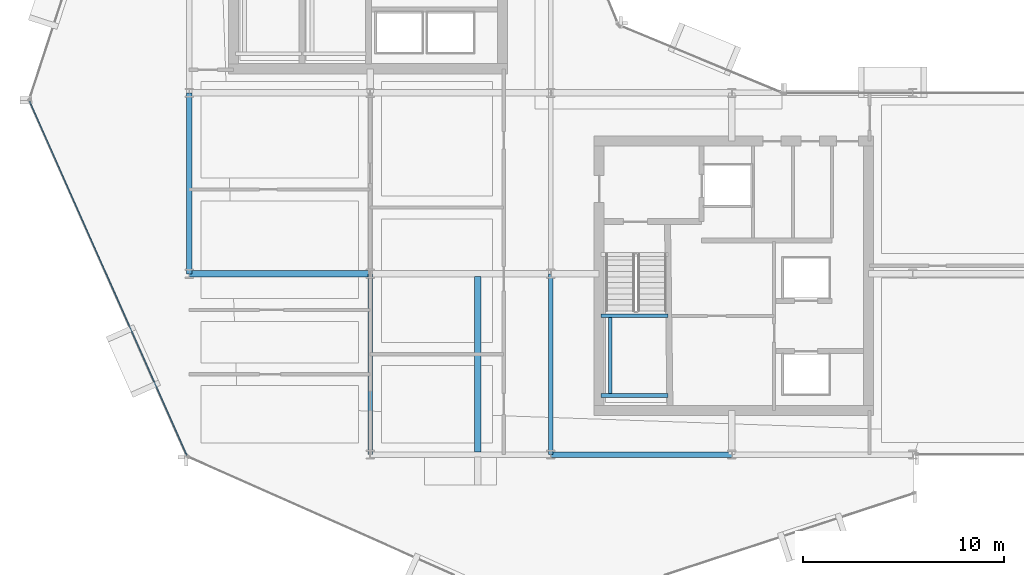
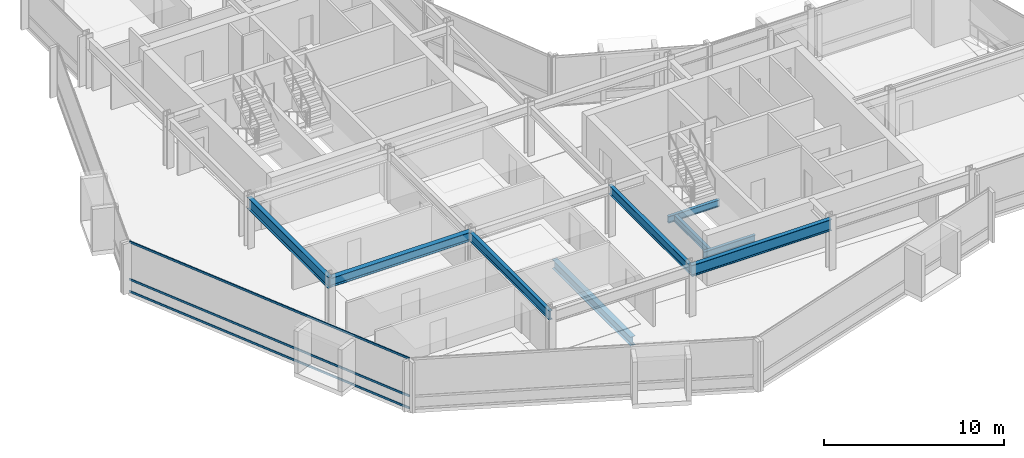
# One storey, part 5 of 29: 9 beams, 3 members, 1 element without a shape of its own.
"""IFC4 building model written with IfcOpenShell, lengths in metres."""

from ifc_helpers import new_model, si_unit, direction, frame, origin, origin_2d, place, context, subcontext, project, spatial, hollow_rectangle, i_section, extrude, material, layer, layer_set, material_profile, profile_set, type_object, element, aggregate, save


model = new_model("IFC4")

# Units and contexts
model_context = context("Model", 3, precision=1e-05, world=origin(), true_north=direction((0.0, 1.0)))
body_context = subcontext(model_context, "Body", "Model", "MODEL_VIEW")
ifc_project = project(units=[si_unit("LENGTHUNIT", "METRE"), si_unit("AREAUNIT", "SQUARE_METRE"), si_unit("VOLUMEUNIT", "CUBIC_METRE"), si_unit("PLANEANGLEUNIT", "RADIAN"), si_unit("MASSUNIT", "GRAM", prefix="KILO")], contexts=[model_context])

# Site, building, storey
site_placement = place(None, origin())
site = spatial("IfcSite", under=ifc_project, at=site_placement, CompositionType="ELEMENT")
building_placement = place(site_placement, origin())
building = spatial("IfcBuilding", under=site, at=building_placement, Name="Solvaryn Broadcast Tower", CompositionType="ELEMENT")
storey_placement = place(building_placement, frame((0.0, 0.0, 128.5)))
storey = spatial("IfcBuildingStorey", under=building, at=storey_placement, Name="L31", CompositionType="ELEMENT", Elevation=128.5)

# Beams
ifc_material_1 = material(Name="Steel ASTM A992 Grade 50", Category="steel")
ifc_material_profile_1 = material_profile(ifc_material_1, i_section(OverallWidth=0.323974609375, OverallDepth=0.611083984375, WebThickness=0.0126953125, FlangeThickness=0.01904296875, FilletRadius=0.014892578125, at=origin_2d()))
ifc_profile_set_1 = profile_set([ifc_material_profile_1], Name="Steel ASTM A992 Grade 50")
beam_type_1 = type_object("IfcBeamType", Name="BM-B1-W24X104", PredefinedType="BEAM", material=ifc_profile_set_1)
beam_1_placement = place(storey_placement, frame((23.35009765625, 17.875, -0.58544921875), z_axis=(0.0, -1.0, 0.0), x_axis=(1.0, 0.0, 0.0)))
element("IfcBeam", 1, at=beam_1_placement, inside=storey, type_object=beam_type_1, Name="L31 Bay-Box Back-Span Beam 1", PredefinedType="BEAM", context=body_context, shape_type="SweptSolid", body=[
    extrude(i_section(OverallWidth=0.323974609375, OverallDepth=0.611083984375, WebThickness=0.0126953125, FlangeThickness=0.01904296875, FilletRadius=0.014892578125, at=origin_2d()), origin(), (0.0, 0.0, 1.0), 8.75),
])
beam_2_placement = place(storey_placement, frame((9.0, 18.0, 3.114501953125), z_axis=(1.0, 0.0, 0.0), x_axis=(0.0, 1.0, 0.0)))
element("IfcBeam", 2, at=beam_2_placement, inside=storey, type_object=beam_type_1, Name="L31 Primary Beam X (9-18 @ Y=18)", PredefinedType="BEAM", context=body_context, shape_type="SweptSolid", body=[
    extrude(i_section(OverallWidth=0.323974609375, OverallDepth=0.611083984375, WebThickness=0.0126953125, FlangeThickness=0.01904296875, FilletRadius=0.014892578125, at=origin_2d()), origin(), (0.0, 0.0, 1.0), 9.0),
])
ifc_material_2 = material(Name="Steel ASTM A992 Grade 50", Category="steel")
ifc_material_profile_2 = material_profile(ifc_material_2, i_section(OverallWidth=0.22802734375, OverallDepth=0.60791015625, WebThickness=0.01123046875, FlangeThickness=0.017333984375, FilletRadius=0.014892578125, at=origin_2d()))
ifc_profile_set_2 = profile_set([ifc_material_profile_2], Name="Steel ASTM A992 Grade 50")
beam_type_2 = type_object("IfcBeamType", Name="BM-B2-W24X76", PredefinedType="BEAM", material=ifc_profile_set_2)
for number, where, z_axis, x_axis, name in (
    (3, (18.0, 9.0, 3.115966796875), (0.0, 1.0, 0.0), (-1.0, 0.0, 0.0), "L31 Primary Beam Y (9-18 @ X=18)"),
    (4, (27.0, 9.0, 3.115966796875), (0.0, 1.0, 0.0), (-1.0, 0.0, 0.0), "L31 Primary Beam Y (9-18 @ X=27)"),
):
    element("IfcBeam", number, at=place(storey_placement, frame(where, z_axis=z_axis, x_axis=x_axis)), inside=storey, type_object=beam_type_2, Name=name, PredefinedType="BEAM", context=body_context, shape_type="SweptSolid", body=[
        extrude(i_section(OverallWidth=0.22802734375, OverallDepth=0.60791015625, WebThickness=0.01123046875, FlangeThickness=0.017333984375, FilletRadius=0.014892578125, at=origin_2d()), origin(), (0.0, 0.0, 1.0), 9.0),
    ])
ifc_material_3 = material(Name="Steel ASTM A992 Grade 50", Category="steel")
ifc_material_profile_3 = material_profile(ifc_material_3, i_section(OverallWidth=0.18994140625, OverallDepth=0.45703125, WebThickness=0.009033203125, FlangeThickness=0.014404296875, FilletRadius=0.011962890625, at=origin_2d()))
ifc_profile_set_3 = profile_set([ifc_material_profile_3], Name="Steel ASTM A992 Grade 50")
beam_type_3 = type_object("IfcBeamType", Name="BM-B4-W18X50", PredefinedType="BEAM", material=ifc_profile_set_3)
for number, where, z_axis, x_axis, name in (
    (5, (29.5, 11.949951171875, 1.42138671875), (1.0, 0.0, 0.0), (0.0, 1.0, 0.0), "L31 ST3 Landing Support Beam 1A"),
    (6, (29.5, 15.909912109375, 1.42138671875), (1.0, 0.0, 0.0), (0.0, 1.0, 0.0), "L31 ST3 Landing Support Beam 1B"),
):
    element("IfcBeam", number, at=place(storey_placement, frame(where, z_axis=z_axis, x_axis=x_axis)), inside=storey, type_object=beam_type_3, Name=name, PredefinedType="BEAM", context=body_context, shape_type="SweptSolid", body=[
        extrude(i_section(OverallWidth=0.18994140625, OverallDepth=0.45703125, WebThickness=0.009033203125, FlangeThickness=0.014404296875, FilletRadius=0.011962890625, at=origin_2d()), origin(), (0.0, 0.0, 1.0), 3.320068359375),
    ])
beam_3_placement = place(storey_placement, frame((29.949951171875, 11.949951171875, 1.42138671875), z_axis=(0.0, 1.0, 0.0), x_axis=(-1.0, 0.0, 0.0)))
element("IfcBeam", 7, at=beam_3_placement, inside=storey, type_object=beam_type_3, Name="L31 ST3 Landing Cross Stringer 1C", PredefinedType="BEAM", context=body_context, shape_type="SweptSolid", body=[
    extrude(i_section(OverallWidth=0.18994140625, OverallDepth=0.45703125, WebThickness=0.009033203125, FlangeThickness=0.014404296875, FilletRadius=0.011962890625, at=origin_2d()), origin(), (0.0, 0.0, 1.0), 3.9599609375),
])
ifc_material_4 = material(Name="Steel ASTM A992 Grade 50", Category="steel")
ifc_material_profile_4 = material_profile(ifc_material_4, i_section(OverallWidth=0.26708984375, OverallDepth=0.76611328125, WebThickness=0.014892578125, FlangeThickness=0.023681640625, FilletRadius=0.01806640625, at=origin_2d()))
ifc_profile_set_4 = profile_set([ifc_material_profile_4], Name="Steel ASTM A992 Grade 50")
beam_type_4 = type_object("IfcBeamType", Name="BM-SP2-W30X124", PredefinedType="USERDEFINED", material=ifc_profile_set_4)
for number, where, z_axis, x_axis, name in (
    (8, (27.0, 9.0, 3.037109375), (1.0, 0.0, 0.0), (0.0, 1.0, 0.0), "L31 Spandrel Beam X (27-36 @ Y=9)"),
    (9, (9.0, 18.0, 3.037109375), (0.0, 1.0, 0.0), (-1.0, 0.0, 0.0), "L31 Spandrel Beam Y (18-27 @ X=9)"),
):
    element("IfcBeam", number, at=place(storey_placement, frame(where, z_axis=z_axis, x_axis=x_axis)), inside=storey, type_object=beam_type_4, Name=name, ObjectType="SPANDREL", PredefinedType="USERDEFINED", context=body_context, shape_type="SweptSolid", body=[
        extrude(i_section(OverallWidth=0.26708984375, OverallDepth=0.76611328125, WebThickness=0.014892578125, FlangeThickness=0.023681640625, FilletRadius=0.01806640625, at=origin_2d()), origin(), (0.0, 0.0, 1.0), 9.0),
    ])

# Curtain wall, members
ifc_material_5 = material(Name="Aluminium and Terracotta Unitised Curtain Wall", Category="masonry")
ifc_layer = layer(ifc_material_5, 0.239990234375)
ifc_layer_set = layer_set([ifc_layer], Name="CW-SYS3-BAYBOX")
curtain_wall_type = type_object("IfcCurtainWallType", Name="CW-SYS3-BAYBOX", PredefinedType="NOTDEFINED", material=ifc_layer_set)
curtain_wall_placement = place(storey_placement, origin())
curtain_wall = element("IfcCurtainWall", 10, at=curtain_wall_placement, inside=storey, type_object=curtain_wall_type, Name="L31 Curtain Wall DR2", PredefinedType="NOTDEFINED")
ifc_material_6 = material(Name="Anodised Aluminium 6063-T6", Category="aluminium")
ifc_material_profile_5 = material_profile(ifc_material_6, hollow_rectangle(XDim=0.06494140625, YDim=0.14990234375, WallThickness=0.00390625, InnerFilletRadius=0.00390625, OuterFilletRadius=0.008056640625, at=origin_2d()))
ifc_profile_set_5 = profile_set([ifc_material_profile_5], Name="Anodised Aluminium 6063-T6")
member_type = type_object("IfcMemberType", Name="CW-TRN-150", PredefinedType="USERDEFINED", material=ifc_profile_set_5)
member_1_placement = place(storey_placement, frame((1.058349609375, 26.5810546875, 0.030029296875), z_axis=(0.405917546252, -0.913909703223, 0.0), x_axis=(0.913909703223, 0.405917546252, 0.0)))
member_1 = element("IfcMember", 11, at=member_1_placement, type_object=member_type, Name="CWS3 transom 1.1", ObjectType="TRANSOM", PredefinedType="USERDEFINED", context=body_context, shape_type="SweptSolid", body=[
    extrude(hollow_rectangle(XDim=0.06494140625, YDim=0.14990234375, WallThickness=0.00390625, InnerFilletRadius=0.00390625, OuterFilletRadius=0.008056640625, at=origin_2d()), origin(), (0.0, 0.0, 1.0), 19.27783203125),
])
member_2_placement = place(storey_placement, frame((1.058349609375, 26.5810546875, 0.85009765625), z_axis=(0.405917546252, -0.913909703223, 0.0), x_axis=(0.913909703223, 0.405917546252, 0.0)))
member_2 = element("IfcMember", 12, at=member_2_placement, type_object=member_type, Name="CWS3 transom 1.2", ObjectType="TRANSOM", PredefinedType="USERDEFINED", context=body_context, shape_type="SweptSolid", body=[
    extrude(hollow_rectangle(XDim=0.06494140625, YDim=0.14990234375, WallThickness=0.00390625, InnerFilletRadius=0.00390625, OuterFilletRadius=0.008056640625, at=origin_2d()), origin(), (0.0, 0.0, 1.0), 19.27783203125),
])
member_3_placement = place(storey_placement, frame((1.058349609375, 26.5810546875, 3.389892578125), z_axis=(0.405917546252, -0.913909703223, 0.0), x_axis=(0.913909703223, 0.405917546252, 0.0)))
member_3 = element("IfcMember", 13, at=member_3_placement, type_object=member_type, Name="CWS3 transom 1.3", ObjectType="TRANSOM", PredefinedType="USERDEFINED", context=body_context, shape_type="SweptSolid", body=[
    extrude(hollow_rectangle(XDim=0.06494140625, YDim=0.14990234375, WallThickness=0.00390625, InnerFilletRadius=0.00390625, OuterFilletRadius=0.008056640625, at=origin_2d()), origin(), (0.0, 0.0, 1.0), 19.27783203125),
])
aggregate(curtain_wall, [member_1, member_2, member_3])

save(model, "model.ifc")
